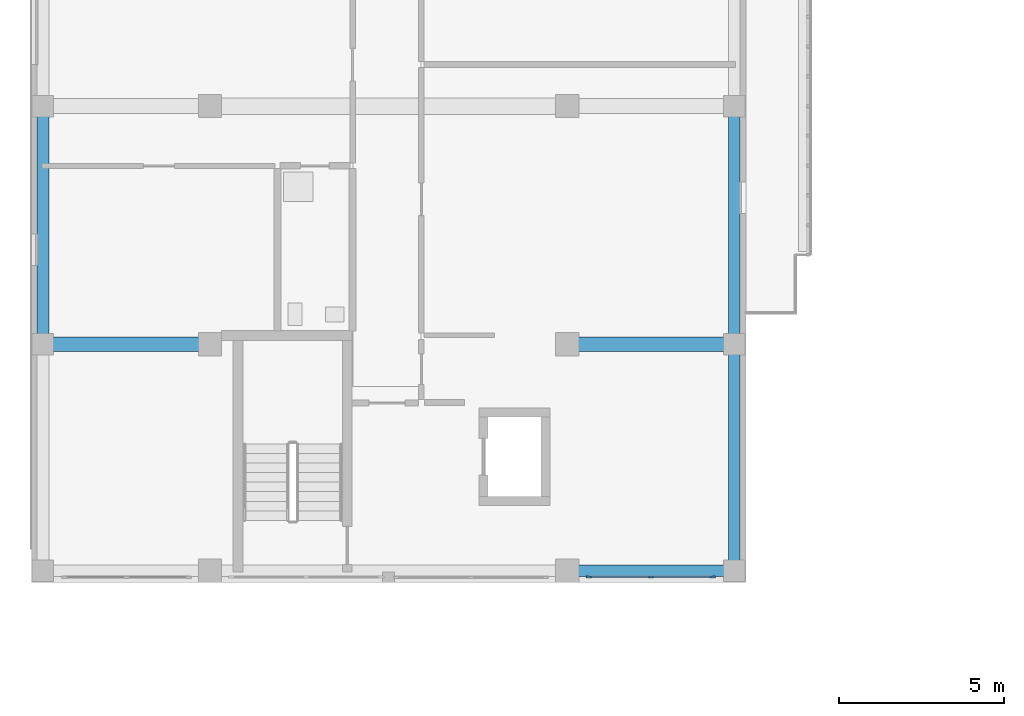
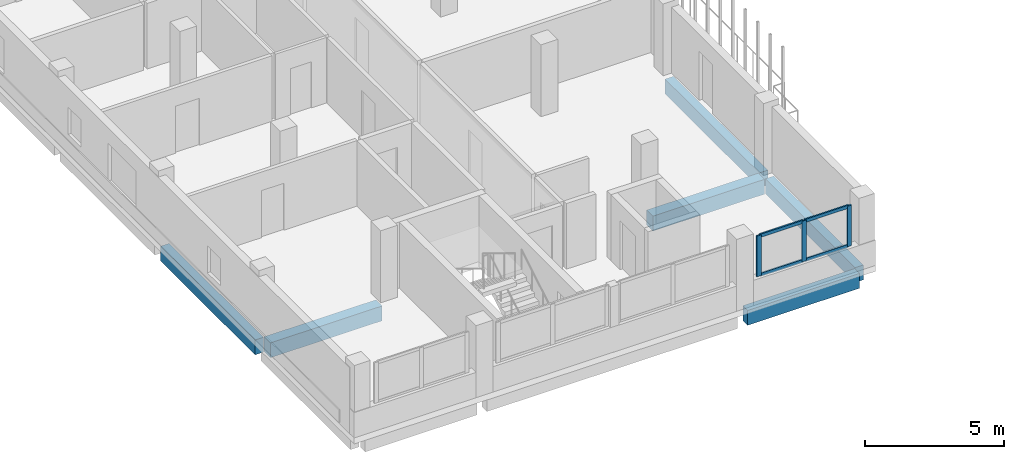
# One storey, part 8 of 51: 7 members, 6 beams, 1 element without a shape of its own.
"""IFC4 building model written with IfcOpenShell, lengths in metres."""

from ifc_helpers import new_model, si_unit, derived_unit, direction, frame, origin, origin_2d, place, context, subcontext, project, spatial, rectangle, extrude, material, layer, layer_set, material_profile, profile_set, type_object, element, aggregate, save


model = new_model("IFC4")

# Units and contexts
model_context = context("Model", 3, precision=1e-05, world=origin(), true_north=direction((0.0, 1.0)))
body_context = subcontext(model_context, "Body", "Model", "MODEL_VIEW")
ifc_project = project(units=[si_unit("LENGTHUNIT", "METRE"), si_unit("AREAUNIT", "SQUARE_METRE"), si_unit("VOLUMEUNIT", "CUBIC_METRE"), si_unit("PLANEANGLEUNIT", "RADIAN"), si_unit("MASSUNIT", "GRAM", prefix="KILO"), derived_unit("THERMALTRANSMITTANCEUNIT", [(si_unit("MASSUNIT", "GRAM", prefix="KILO"), 1), (si_unit("TIMEUNIT", "SECOND"), -3), (si_unit("THERMODYNAMICTEMPERATUREUNIT", "KELVIN"), -1)])], contexts=[model_context])

# Site, building, storey
site_placement = place(None, origin())
site = spatial("IfcSite", under=ifc_project, at=site_placement, CompositionType="ELEMENT")
building_placement = place(site_placement, origin())
building = spatial("IfcBuilding", under=site, at=building_placement, Name="Ochrekiln Boulevard Commons", CompositionType="ELEMENT")
storey_placement = place(building_placement, frame((0.0, 0.0, 18.375)))
storey = spatial("IfcBuildingStorey", under=building, at=storey_placement, Name="L05", CompositionType="ELEMENT", Elevation=18.375)

# Beams
ifc_material_1 = material(Name="Concrete C35/45", Category="concrete")
ifc_material_profile_1 = material_profile(ifc_material_1, rectangle(XDim=0.449951171875, YDim=0.64990234375, at=origin_2d()), Name="RC-BM-450x650")
ifc_profile_set_1 = profile_set([ifc_material_profile_1], Name="Concrete C35/45")
beam_type_1 = type_object("IfcBeamType", Name="BM-RC-450x650", PredefinedType="BEAM", material=ifc_profile_set_1)
beam_1_placement = place(storey_placement, frame((0.56005859375, 75.60009765625, -0.5849609375), z_axis=(1.0, 0.0, 0.0), x_axis=(0.0, 1.0, 0.0)))
element("IfcBeam", 1, at=beam_1_placement, inside=storey, type_object=beam_type_1, Name="Block A L05 Beam B-4565 X4", PredefinedType="BEAM", context=body_context, shape_type="SweptSolid", body=[
    extrude(rectangle(XDim=0.449951171875, YDim=0.64990234375, at=origin_2d()), origin(), (0.0, 0.0, 1.0), 4.6298828125),
])
beam_2_placement = place(storey_placement, frame((16.409912109375, 75.60009765625, -0.5849609375), z_axis=(1.0, 0.0, 0.0), x_axis=(0.0, 1.0, 0.0)))
element("IfcBeam", 2, at=beam_2_placement, inside=storey, type_object=beam_type_1, Name="Block A L05 Beam B-4565 X5", PredefinedType="BEAM", context=body_context, shape_type="SweptSolid", body=[
    extrude(rectangle(XDim=0.449951171875, YDim=0.64990234375, at=origin_2d()), origin(), (0.0, 0.0, 1.0), 4.630126953125),
])

# Curtain wall, members
ifc_material_2 = material(Name="Bronze-anodized extruded aluminium 6063-T6", Category="aluminium")
ifc_layer = layer(ifc_material_2, 0.172119140625)
ifc_layer_set = layer_set([ifc_layer], Name="Bronze-anodized extruded aluminium 6063-T6")
curtain_wall_type = type_object("IfcCurtainWallType", Name="CW-GABLE-A", PredefinedType="USERDEFINED", material=ifc_layer_set)
curtain_wall_placement = place(storey_placement, origin())
curtain_wall = element("IfcCurtainWall", 3, at=curtain_wall_placement, inside=storey, type_object=curtain_wall_type, Name="Block A L05 Courtyard Glazed Gable Curtain Wall 4", ObjectType="GLAZED CURTAIN WALL", PredefinedType="USERDEFINED")
ifc_material_profile_2 = material_profile(ifc_material_2, rectangle(XDim=0.06494140625, YDim=0.179931640625, at=origin_2d()), Name="ALU-MUL-65x180")
ifc_profile_set_2 = profile_set([ifc_material_profile_2], Name="Bronze-anodized extruded aluminium 6063-T6")
member_type_1 = type_object("IfcMemberType", Name="CWM-65x180", PredefinedType="MULLION", material=ifc_profile_set_2)
member_1_placement = place(storey_placement, frame((16.8525390625, 68.56005859375, 1.110107421875), z_axis=(0.0, 0.0, 1.0), x_axis=(0.0, 1.0, 0.0)))
member_1 = element("IfcMember", 4, at=member_1_placement, type_object=member_type_1, Name="CW-01 mullion 1", PredefinedType="MULLION", context=body_context, shape_type="SweptSolid", body=[
    extrude(rectangle(XDim=0.06494140625, YDim=0.179931640625, at=origin_2d()), origin(), (0.0, 0.0, 1.0), 1.77978515625),
])
member_2_placement = place(storey_placement, frame((18.72509765625, 68.56005859375, 1.110107421875), z_axis=(0.0, 0.0, 1.0), x_axis=(0.0, 1.0, 0.0)))
member_2 = element("IfcMember", 5, at=member_2_placement, type_object=member_type_1, Name="CW-01 mullion 2", PredefinedType="MULLION", context=body_context, shape_type="SweptSolid", body=[
    extrude(rectangle(XDim=0.06494140625, YDim=0.179931640625, at=origin_2d()), origin(), (0.0, 0.0, 1.0), 1.77978515625),
])
member_3_placement = place(storey_placement, frame((20.597412109375, 68.56005859375, 1.110107421875), z_axis=(0.0, 0.0, 1.0), x_axis=(0.0, 1.0, 0.0)))
member_3 = element("IfcMember", 6, at=member_3_placement, type_object=member_type_1, Name="CW-01 mullion 3", PredefinedType="MULLION", context=body_context, shape_type="SweptSolid", body=[
    extrude(rectangle(XDim=0.06494140625, YDim=0.179931640625, at=origin_2d()), origin(), (0.0, 0.0, 1.0), 1.77978515625),
])
ifc_material_profile_3 = material_profile(ifc_material_2, rectangle(XDim=0.06494140625, YDim=0.139892578125, at=origin_2d()), Name="ALU-TRN-65x140")
ifc_profile_set_3 = profile_set([ifc_material_profile_3], Name="Bronze-anodized extruded aluminium 6063-T6")
member_type_2 = type_object("IfcMemberType", Name="CWT-65x140", PredefinedType="USERDEFINED", material=ifc_profile_set_3)
member_4_placement = place(storey_placement, frame((16.885009765625, 68.56005859375, 1.142578125), z_axis=(1.0, 0.0, 0.0), x_axis=(0.0, 1.0, 0.0)))
member_4 = element("IfcMember", 7, at=member_4_placement, type_object=member_type_2, Name="CW-01 transom 1.1", ObjectType="TRANSOM", PredefinedType="USERDEFINED", context=body_context, shape_type="SweptSolid", body=[
    extrude(rectangle(XDim=0.06494140625, YDim=0.139892578125, at=origin_2d()), origin(), (0.0, 0.0, 1.0), 1.807373046875),
])
member_5_placement = place(storey_placement, frame((16.885009765625, 68.56005859375, 2.857421875), z_axis=(1.0, 0.0, 0.0), x_axis=(0.0, 1.0, 0.0)))
member_5 = element("IfcMember", 8, at=member_5_placement, type_object=member_type_2, Name="CW-01 transom 1.2", ObjectType="TRANSOM", PredefinedType="USERDEFINED", context=body_context, shape_type="SweptSolid", body=[
    extrude(rectangle(XDim=0.06494140625, YDim=0.139892578125, at=origin_2d()), origin(), (0.0, 0.0, 1.0), 1.807373046875),
])
member_6_placement = place(storey_placement, frame((18.757568359375, 68.56005859375, 1.142578125), z_axis=(1.0, 0.0, 0.0), x_axis=(0.0, 1.0, 0.0)))
member_6 = element("IfcMember", 9, at=member_6_placement, type_object=member_type_2, Name="CW-01 transom 2.1", ObjectType="TRANSOM", PredefinedType="USERDEFINED", context=body_context, shape_type="SweptSolid", body=[
    extrude(rectangle(XDim=0.06494140625, YDim=0.139892578125, at=origin_2d()), origin(), (0.0, 0.0, 1.0), 1.807373046875),
])
member_7_placement = place(storey_placement, frame((18.757568359375, 68.56005859375, 2.857421875), z_axis=(1.0, 0.0, 0.0), x_axis=(0.0, 1.0, 0.0)))
member_7 = element("IfcMember", 10, at=member_7_placement, type_object=member_type_2, Name="CW-01 transom 2.2", ObjectType="TRANSOM", PredefinedType="USERDEFINED", context=body_context, shape_type="SweptSolid", body=[
    extrude(rectangle(XDim=0.06494140625, YDim=0.139892578125, at=origin_2d()), origin(), (0.0, 0.0, 1.0), 1.807373046875),
])
aggregate(curtain_wall, [member_1, member_2, member_3, member_4, member_5, member_6, member_7])

# Beams
ifc_material_3 = material(Name="Concrete C40/50", Category="concrete")
ifc_material_profile_4 = material_profile(ifc_material_3, rectangle(XDim=0.35009765625, YDim=0.64990234375, at=origin_2d()), Name="RC-SPN-350x650")
ifc_profile_set_4 = profile_set([ifc_material_profile_4], Name="Concrete C40/50")
beam_type_2 = type_object("IfcBeamType", Name="SPN-RC-350x650", PredefinedType="SPANDREL", material=ifc_profile_set_4)
beam_3_placement = place(storey_placement, frame((16.409912109375, 68.75, -0.5849609375), z_axis=(1.0, 0.0, 0.0), x_axis=(0.0, 1.0, 0.0)))
element("IfcBeam", 11, at=beam_3_placement, inside=storey, type_object=beam_type_2, Name="Block A L05 Beam SP-3565 X3", PredefinedType="SPANDREL", context=body_context, shape_type="SweptSolid", body=[
    extrude(rectangle(XDim=0.35009765625, YDim=0.64990234375, at=origin_2d()), origin(), (0.0, 0.0, 1.0), 4.630126953125),
])
beam_4_placement = place(storey_placement, frame((0.35009765625, 75.81005859375, -0.5849609375), z_axis=(0.0, 1.0, 0.0), x_axis=(-1.0, 0.0, 0.0)))
element("IfcBeam", 12, at=beam_4_placement, inside=storey, type_object=beam_type_2, Name="Block A L05 Beam SP-3565 Y24", PredefinedType="SPANDREL", context=body_context, shape_type="SweptSolid", body=[
    extrude(rectangle(XDim=0.35009765625, YDim=0.64990234375, at=origin_2d()), origin(), (0.0, 0.0, 1.0), 6.780029296875),
])
beam_5_placement = place(storey_placement, frame((21.25, 68.9599609375, -0.5849609375), z_axis=(0.0, 1.0, 0.0), x_axis=(-1.0, 0.0, 0.0)))
element("IfcBeam", 13, at=beam_5_placement, inside=storey, type_object=beam_type_2, Name="Block A L05 Beam SP-3565 Y30", PredefinedType="SPANDREL", context=body_context, shape_type="SweptSolid", body=[
    extrude(rectangle(XDim=0.35009765625, YDim=0.64990234375, at=origin_2d()), origin(), (0.0, 0.0, 1.0), 6.429931640625),
])
beam_6_placement = place(storey_placement, frame((21.25, 75.81005859375, -0.5849609375), z_axis=(0.0, 1.0, 0.0), x_axis=(-1.0, 0.0, 0.0)))
element("IfcBeam", 14, at=beam_6_placement, inside=storey, type_object=beam_type_2, Name="Block A L05 Beam SP-3565 Y31", PredefinedType="SPANDREL", context=body_context, shape_type="SweptSolid", body=[
    extrude(rectangle(XDim=0.35009765625, YDim=0.64990234375, at=origin_2d()), origin(), (0.0, 0.0, 1.0), 6.780029296875),
])

save(model, "model.ifc")
